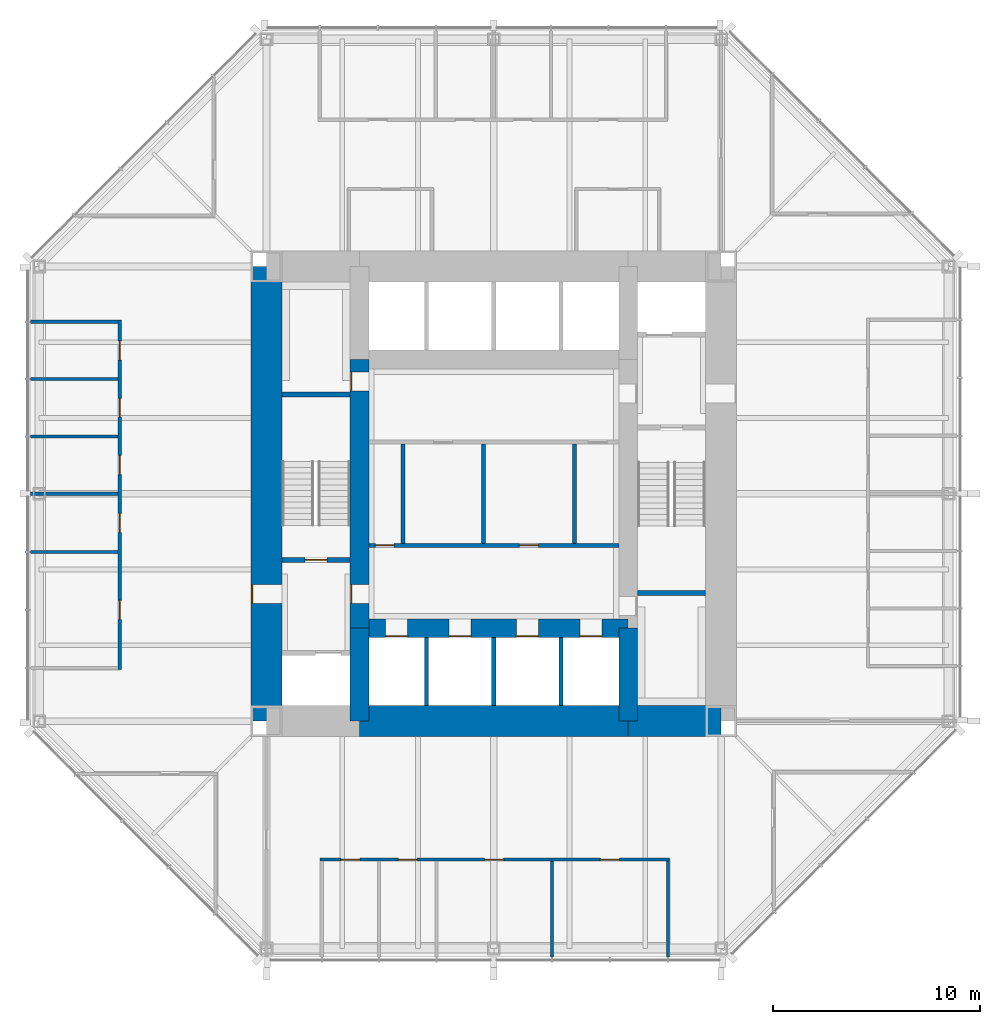
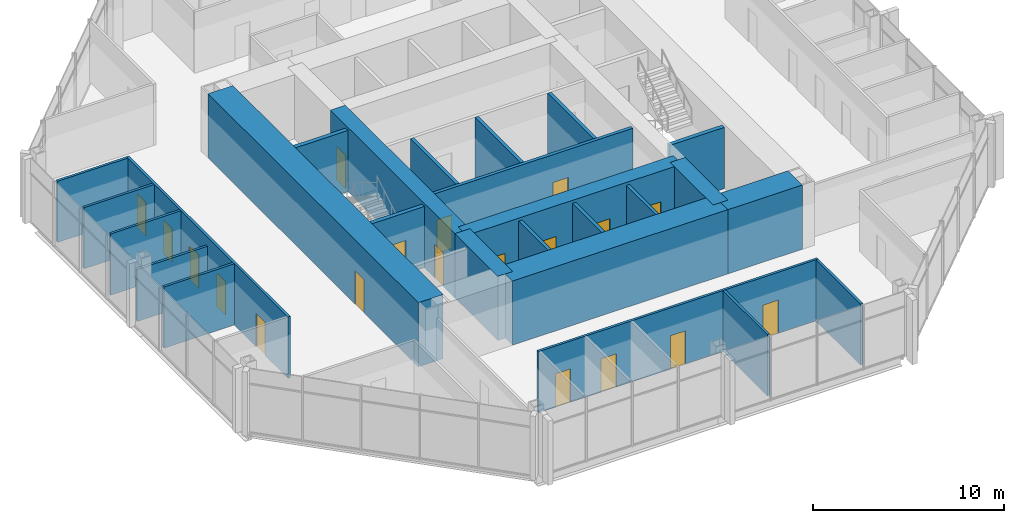
# One storey, part 9 of 12: 26 walls, 19 doors, 19 openings.
"""IFC4 building model written with IfcOpenShell, lengths in metres."""

from ifc_helpers import new_model, si_unit, direction, frame, frame_2d, origin, place, context, subcontext, project, spatial, rectangle, extrude, material, layer, layer_set, type_object, element, fill, save


model = new_model("IFC4")

# Units and contexts
model_context = context("Model", 3, precision=1e-05, world=origin(), true_north=direction((0.0, 1.0)))
body_context = subcontext(model_context, "Body", "Model", "MODEL_VIEW")
ifc_project = project(units=[si_unit("LENGTHUNIT", "METRE"), si_unit("AREAUNIT", "SQUARE_METRE"), si_unit("VOLUMEUNIT", "CUBIC_METRE"), si_unit("PLANEANGLEUNIT", "RADIAN"), si_unit("MASSUNIT", "GRAM", prefix="KILO")], contexts=[model_context])

# Site, building, storey
site_placement = place(None, origin())
site = spatial("IfcSite", under=ifc_project, at=site_placement, CompositionType="ELEMENT")
building_placement = place(site_placement, origin())
building = spatial("IfcBuilding", under=site, at=building_placement, Name="Trevanion Tower", CompositionType="ELEMENT")
storey_placement = place(building_placement, frame((0.0, 0.0, 170.5)))
storey = spatial("IfcBuildingStorey", under=building, at=storey_placement, Name="L40", CompositionType="ELEMENT", Elevation=170.5)

# Wall, opening, door
ifc_material_1 = material(Name="Concrete 10,000 psi", Category="concrete")
ifc_layer_1 = layer(ifc_material_1, 1.5)
ifc_layer_set_1 = layer_set([ifc_layer_1], Name="CW1 core wall 1500")
wall_type_1 = type_object("IfcWallType", Name="CW1 core wall 1500", PredefinedType="SHEAR", material=ifc_layer_set_1)
wall_1_placement = place(storey_placement, frame((-11.0, 11.0, 0.0), z_axis=(0.0, 0.0, 1.0), x_axis=(0.0, -1.0, 0.0)))
wall_1 = element("IfcWall", 1, at=wall_1_placement, inside=storey, type_object=wall_type_1, Name="CW1 CW L40", PredefinedType="SHEAR", context=body_context, shape_type="SweptSolid", body=[
    extrude(rectangle(XDim=22.0, YDim=1.5, at=frame_2d((11.0, 0.0))), origin(), (0.0, 0.0, 1.0), 4.10009765625),
])
opening_1_placement = place(wall_1_placement, frame((15.392578125, 0.0, 0.0)))
opening_1 = element("IfcOpeningElement", 2, at=opening_1_placement, cuts=wall_1, Name="Opening 40-002", PredefinedType="OPENING", context=body_context, shape_type="SweptSolid", body=[
    extrude(rectangle(XDim=0.9150390625, YDim=2.134033203125, at=frame_2d((0.45751953125, 1.06689453125))), frame((0.0, 0.760009765625, 0.0), z_axis=(0.0, -1.0, 0.0), x_axis=(1.0, 0.0, 0.0)), (0.0, 0.0, 1.0), 1.52001953125),
])
ifc_material_2 = material(Name="Hollow metal, fire rated", Category="steel")
door_type_1 = type_object("IfcDoorType", Name="D3 fire lift lobby door", OperationType="SINGLE_SWING_RIGHT", PredefinedType="DOOR", material=ifc_material_2)
door_1_placement = place(opening_1_placement, origin())
door_1 = element("IfcDoor", 3, at=door_1_placement, inside=storey, type_object=door_type_1, Name="Door 40-002", OperationType="SINGLE_SWING_RIGHT", OverallHeight=2.134033203125, OverallWidth=0.9150390625, PredefinedType="DOOR", context=body_context, shape_type="SweptSolid", body=[
    extrude(rectangle(XDim=0.9150390625, YDim=2.134033203125, at=frame_2d((0.45751953125, 1.06689453125))), frame((0.0, -0.6748046875, 0.0), z_axis=(0.0, -1.0, 0.0), x_axis=(1.0, 0.0, 0.0)), (0.0, 0.0, 1.0), 0.050048828125),
])
fill(opening_1, door_1)

# Walls
wall_2_placement = place(storey_placement, frame((-6.5, -11.0, 0.0), z_axis=(0.0, 0.0, 1.0), x_axis=(1.0, 0.0, 0.0)))
element("IfcWall", 4, at=wall_2_placement, inside=storey, type_object=wall_type_1, Name="CW1 CS2 L40", PredefinedType="SHEAR", context=body_context, shape_type="SweptSolid", body=[
    extrude(rectangle(XDim=13.0, YDim=1.5, at=frame_2d((6.5, 0.0))), origin(), (0.0, 0.0, 1.0), 4.10009765625),
])
wall_3_placement = place(storey_placement, frame((6.5, -11.0, 0.0), z_axis=(0.0, 0.0, 1.0), x_axis=(1.0, 0.0, 0.0)))
element("IfcWall", 5, at=wall_3_placement, inside=storey, type_object=wall_type_1, Name="CW1 CS3 L40", PredefinedType="SHEAR", context=body_context, shape_type="SweptSolid", body=[
    extrude(rectangle(XDim=4.5, YDim=1.5, at=frame_2d((2.25, 0.0))), origin(), (0.0, 0.0, 1.0), 4.10009765625),
])
ifc_material_3 = material(Name="Concrete 10,000 psi", Category="concrete")
ifc_layer_2 = layer(ifc_material_3, 0.89990234375)
ifc_layer_set_2 = layer_set([ifc_layer_2], Name="CW2 core wall 900")
wall_type_2 = type_object("IfcWallType", Name="CW2 core wall 900", PredefinedType="SHEAR", material=ifc_layer_set_2)
wall_4_placement = place(storey_placement, frame((6.5, -11.0, 0.0), z_axis=(0.0, 0.0, 1.0), x_axis=(0.0, 1.0, 0.0)))
element("IfcWall", 6, at=wall_4_placement, inside=storey, type_object=wall_type_2, Name="CW2 RE1 L40", PredefinedType="SHEAR", context=body_context, shape_type="SweptSolid", body=[
    extrude(rectangle(XDim=4.5, YDim=0.89990234375, at=frame_2d((2.25, 0.0))), origin(), (0.0, 0.0, 1.0), 4.10009765625),
])

# Wall, openings, doors
wall_5_placement = place(storey_placement, frame((-6.5, 6.5, 0.0), z_axis=(0.0, 0.0, 1.0), x_axis=(0.0, -1.0, 0.0)))
wall_5 = element("IfcWall", 7, at=wall_5_placement, inside=storey, type_object=wall_type_2, Name="CW2 RW2 L40", PredefinedType="SHEAR", context=body_context, shape_type="SweptSolid", body=[
    extrude(rectangle(XDim=13.0, YDim=0.89990234375, at=frame_2d((6.5, 0.0))), origin(), (0.0, 0.0, 1.0), 4.10009765625),
])
opening_2_placement = place(wall_5_placement, frame((10.892578125, 0.0, 0.0)))
opening_2 = element("IfcOpeningElement", 8, at=opening_2_placement, cuts=wall_5, Name="Opening 40-004", PredefinedType="OPENING", context=body_context, shape_type="SweptSolid", body=[
    extrude(rectangle(XDim=0.9150390625, YDim=2.134033203125, at=frame_2d((0.45751953125, 1.06689453125))), frame((0.0, 0.4599609375, 0.0), z_axis=(0.0, -1.0, 0.0), x_axis=(1.0, 0.0, 0.0)), (0.0, 0.0, 1.0), 0.919921875),
])
opening_3_placement = place(wall_5_placement, frame((0.610107421875, 0.0, 0.0)))
opening_3 = element("IfcOpeningElement", 9, at=opening_3_placement, cuts=wall_5, Name="Opening 40-010", PredefinedType="OPENING", context=body_context, shape_type="SweptSolid", body=[
    extrude(rectangle(XDim=0.9150390625, YDim=2.134033203125, at=frame_2d((0.45751953125, 1.06689453125))), frame((0.0, 0.4599609375, 0.0), z_axis=(0.0, -1.0, 0.0), x_axis=(1.0, 0.0, 0.0)), (0.0, 0.0, 1.0), 0.919921875),
])
door_2_placement = place(opening_2_placement, origin())
door_2 = element("IfcDoor", 10, at=door_2_placement, inside=storey, type_object=door_type_1, Name="Door 40-004", OperationType="SINGLE_SWING_RIGHT", OverallHeight=2.134033203125, OverallWidth=0.9150390625, PredefinedType="DOOR", context=body_context, shape_type="SweptSolid", body=[
    extrude(rectangle(XDim=0.9150390625, YDim=2.134033203125, at=frame_2d((0.45751953125, 1.06689453125))), frame((0.0, -0.375, 0.0), z_axis=(0.0, -1.0, 0.0), x_axis=(1.0, 0.0, 0.0)), (0.0, 0.0, 1.0), 0.050048828125),
])
fill(opening_2, door_2)
ifc_material_4 = material(Name="Hollow metal, fire rated", Category="steel")
door_type_2 = type_object("IfcDoorType", Name="D5 service room door", OperationType="SINGLE_SWING_RIGHT", PredefinedType="DOOR", material=ifc_material_4)
door_3_placement = place(opening_3_placement, origin())
door_3 = element("IfcDoor", 11, at=door_3_placement, inside=storey, type_object=door_type_2, Name="Door 40-010", OperationType="SINGLE_SWING_RIGHT", OverallHeight=2.134033203125, OverallWidth=0.9150390625, PredefinedType="DOOR", context=body_context, shape_type="SweptSolid", body=[
    extrude(rectangle(XDim=0.9150390625, YDim=2.134033203125, at=frame_2d((0.45751953125, 1.06689453125))), frame((0.0, -0.375, 0.0), z_axis=(0.0, -1.0, 0.0), x_axis=(1.0, 0.0, 0.0)), (0.0, 0.0, 1.0), 0.050048828125),
])
fill(opening_3, door_3)

# Wall
wall_6_placement = place(storey_placement, frame((-6.5, -6.5, 0.0), z_axis=(0.0, 0.0, 1.0), x_axis=(0.0, -1.0, 0.0)))
element("IfcWall", 12, at=wall_6_placement, inside=storey, type_object=wall_type_2, Name="CW2 RW3 L40", PredefinedType="SHEAR", context=body_context, shape_type="SweptSolid", body=[
    extrude(rectangle(XDim=4.5, YDim=0.89990234375, at=frame_2d((2.25, 0.0))), origin(), (0.0, 0.0, 1.0), 4.10009765625),
])

# Wall, openings, doors
wall_7_placement = place(storey_placement, frame((-6.5, -6.5, 0.0), z_axis=(0.0, 0.0, 1.0), x_axis=(1.0, 0.0, 0.0)))
wall_7 = element("IfcWall", 13, at=wall_7_placement, inside=storey, type_object=wall_type_2, Name="CW2 RS L40", PredefinedType="SHEAR", context=body_context, shape_type="SweptSolid", body=[
    extrude(rectangle(XDim=13.0, YDim=0.89990234375, at=frame_2d((6.5, 0.0))), origin(), (0.0, 0.0, 1.0), 4.10009765625),
])
opening_4_placement = place(wall_7_placement, frame((1.2666015625, 0.0, 0.0)))
opening_4 = element("IfcOpeningElement", 14, at=opening_4_placement, cuts=wall_7, Name="Opening 40-011", PredefinedType="OPENING", context=body_context, shape_type="SweptSolid", body=[
    extrude(rectangle(XDim=1.06689453125, YDim=2.134033203125, at=frame_2d((0.533447265625, 1.06689453125))), frame((0.0, 0.4599609375, 0.0), z_axis=(0.0, -1.0, 0.0), x_axis=(1.0, 0.0, 0.0)), (0.0, 0.0, 1.0), 0.919921875),
])
opening_5_placement = place(wall_7_placement, frame((4.341552734375, 0.0, 0.0)))
opening_5 = element("IfcOpeningElement", 15, at=opening_5_placement, cuts=wall_7, Name="Opening 40-012", PredefinedType="OPENING", context=body_context, shape_type="SweptSolid", body=[
    extrude(rectangle(XDim=1.06689453125, YDim=2.134033203125, at=frame_2d((0.533447265625, 1.06689453125))), frame((0.0, 0.4599609375, 0.0), z_axis=(0.0, -1.0, 0.0), x_axis=(1.0, 0.0, 0.0)), (0.0, 0.0, 1.0), 0.919921875),
])
opening_6_placement = place(wall_7_placement, frame((7.591552734375, 0.0, 0.0)))
opening_6 = element("IfcOpeningElement", 16, at=opening_6_placement, cuts=wall_7, Name="Opening 40-013", PredefinedType="OPENING", context=body_context, shape_type="SweptSolid", body=[
    extrude(rectangle(XDim=1.06689453125, YDim=2.134033203125, at=frame_2d((0.533447265625, 1.06689453125))), frame((0.0, 0.4599609375, 0.0), z_axis=(0.0, -1.0, 0.0), x_axis=(1.0, 0.0, 0.0)), (0.0, 0.0, 1.0), 0.919921875),
])
opening_7_placement = place(wall_7_placement, frame((10.66650390625, 0.0, 0.0)))
opening_7 = element("IfcOpeningElement", 17, at=opening_7_placement, cuts=wall_7, Name="Opening 40-014", PredefinedType="OPENING", context=body_context, shape_type="SweptSolid", body=[
    extrude(rectangle(XDim=1.06689453125, YDim=2.134033203125, at=frame_2d((0.533447265625, 1.06689453125))), frame((0.0, 0.4599609375, 0.0), z_axis=(0.0, -1.0, 0.0), x_axis=(1.0, 0.0, 0.0)), (0.0, 0.0, 1.0), 0.919921875),
])
ifc_material_5 = material(Name="Stainless steel, fire rated", Category="steel")
door_type_3 = type_object("IfcDoorType", Name="LD1 lift landing door", OperationType="SLIDING_TO_LEFT", PredefinedType="DOOR", material=ifc_material_5)
door_4_placement = place(opening_4_placement, origin())
door_4 = element("IfcDoor", 18, at=door_4_placement, inside=storey, type_object=door_type_3, Name="Door 40-011", OperationType="SLIDING_TO_LEFT", OverallHeight=2.134033203125, OverallWidth=1.06689453125, PredefinedType="DOOR", context=body_context, shape_type="SweptSolid", body=[
    extrude(rectangle(XDim=1.06689453125, YDim=2.134033203125, at=frame_2d((0.533447265625, 1.06689453125))), frame((0.0, -0.375, 0.0), z_axis=(0.0, -1.0, 0.0), x_axis=(1.0, 0.0, 0.0)), (0.0, 0.0, 1.0), 0.050048828125),
])
fill(opening_4, door_4)
door_5_placement = place(opening_5_placement, origin())
door_5 = element("IfcDoor", 19, at=door_5_placement, inside=storey, type_object=door_type_3, Name="Door 40-012", OperationType="SLIDING_TO_LEFT", OverallHeight=2.134033203125, OverallWidth=1.06689453125, PredefinedType="DOOR", context=body_context, shape_type="SweptSolid", body=[
    extrude(rectangle(XDim=1.06689453125, YDim=2.134033203125, at=frame_2d((0.533447265625, 1.06689453125))), frame((0.0, -0.375, 0.0), z_axis=(0.0, -1.0, 0.0), x_axis=(1.0, 0.0, 0.0)), (0.0, 0.0, 1.0), 0.050048828125),
])
fill(opening_5, door_5)
door_6_placement = place(opening_6_placement, origin())
door_6 = element("IfcDoor", 20, at=door_6_placement, inside=storey, type_object=door_type_3, Name="Door 40-013", OperationType="SLIDING_TO_LEFT", OverallHeight=2.134033203125, OverallWidth=1.06689453125, PredefinedType="DOOR", context=body_context, shape_type="SweptSolid", body=[
    extrude(rectangle(XDim=1.06689453125, YDim=2.134033203125, at=frame_2d((0.533447265625, 1.06689453125))), frame((0.0, -0.375, 0.0), z_axis=(0.0, -1.0, 0.0), x_axis=(1.0, 0.0, 0.0)), (0.0, 0.0, 1.0), 0.050048828125),
])
fill(opening_6, door_6)
door_7_placement = place(opening_7_placement, origin())
door_7 = element("IfcDoor", 21, at=door_7_placement, inside=storey, type_object=door_type_3, Name="Door 40-014", OperationType="SLIDING_TO_LEFT", OverallHeight=2.134033203125, OverallWidth=1.06689453125, PredefinedType="DOOR", context=body_context, shape_type="SweptSolid", body=[
    extrude(rectangle(XDim=1.06689453125, YDim=2.134033203125, at=frame_2d((0.533447265625, 1.06689453125))), frame((0.0, -0.375, 0.0), z_axis=(0.0, -1.0, 0.0), x_axis=(1.0, 0.0, 0.0)), (0.0, 0.0, 1.0), 0.050048828125),
])
fill(opening_7, door_7)

ifc_material_6 = material(Name="Gypsum board on steel studs", Category="steel")
ifc_layer_3 = layer(ifc_material_6, 0.14990234375)
ifc_layer_set_3 = layer_set([ifc_layer_3], Name="PT1 partition 150")
wall_type_3 = type_object("IfcWallType", Name="PT1 partition 150", PredefinedType="PARTITIONING", material=ifc_layer_set_3)
wall_8_placement = place(storey_placement, frame((-18.10009765625, 8.39794921875, 0.0), z_axis=(0.0, 0.0, 1.0), x_axis=(0.0, -1.0, 0.0)))
wall_8 = element("IfcWall", 22, at=wall_8_placement, inside=storey, type_object=wall_type_3, Name="PT1 L40 FC2F", PredefinedType="PARTITIONING", context=body_context, shape_type="SweptSolid", body=[
    extrude(rectangle(XDim=16.89404296875, YDim=0.14990234375, at=frame_2d((8.447021484375, 0.0))), origin(), (0.0, 0.0, 1.0), 3.909912109375),
])
opening_8_placement = place(wall_8_placement, frame((1.00439453125, 0.0, 0.0)))
opening_8 = element("IfcOpeningElement", 23, at=opening_8_placement, cuts=wall_8, Name="Opening 40-035", PredefinedType="OPENING", context=body_context, shape_type="SweptSolid", body=[
    extrude(rectangle(XDim=0.9150390625, YDim=2.134033203125, at=frame_2d((0.45751953125, 1.06689453125))), frame((0.0, 0.0849609375, 0.0), z_axis=(0.0, -1.0, 0.0), x_axis=(1.0, 0.0, 0.0)), (0.0, 0.0, 1.0), 0.169921875),
])
opening_9_placement = place(wall_8_placement, frame((3.778564453125, 0.0, 0.0)))
opening_9 = element("IfcOpeningElement", 24, at=opening_9_placement, cuts=wall_8, Name="Opening 40-036", PredefinedType="OPENING", context=body_context, shape_type="SweptSolid", body=[
    extrude(rectangle(XDim=0.9150390625, YDim=2.134033203125, at=frame_2d((0.45751953125, 1.06689453125))), frame((0.0, 0.0849609375, 0.0), z_axis=(0.0, -1.0, 0.0), x_axis=(1.0, 0.0, 0.0)), (0.0, 0.0, 1.0), 0.169921875),
])
opening_10_placement = place(wall_8_placement, frame((6.552978515625, 0.0, 0.0)))
opening_10 = element("IfcOpeningElement", 25, at=opening_10_placement, cuts=wall_8, Name="Opening 40-037", PredefinedType="OPENING", context=body_context, shape_type="SweptSolid", body=[
    extrude(rectangle(XDim=0.9150390625, YDim=2.134033203125, at=frame_2d((0.45751953125, 1.06689453125))), frame((0.0, 0.0849609375, 0.0), z_axis=(0.0, -1.0, 0.0), x_axis=(1.0, 0.0, 0.0)), (0.0, 0.0, 1.0), 0.169921875),
])
opening_11_placement = place(wall_8_placement, frame((9.343994140625, 0.0, 0.0)))
opening_11 = element("IfcOpeningElement", 26, at=opening_11_placement, cuts=wall_8, Name="Opening 40-038", PredefinedType="OPENING", context=body_context, shape_type="SweptSolid", body=[
    extrude(rectangle(XDim=0.9150390625, YDim=2.134033203125, at=frame_2d((0.45751953125, 1.06689453125))), frame((0.0, 0.0849609375, 0.0), z_axis=(0.0, -1.0, 0.0), x_axis=(1.0, 0.0, 0.0)), (0.0, 0.0, 1.0), 0.169921875),
])
opening_12_placement = place(wall_8_placement, frame((13.554443359375, 0.0, 0.0)))
opening_12 = element("IfcOpeningElement", 27, at=opening_12_placement, cuts=wall_8, Name="Opening 40-039", PredefinedType="OPENING", context=body_context, shape_type="SweptSolid", body=[
    extrude(rectangle(XDim=0.9150390625, YDim=2.134033203125, at=frame_2d((0.45751953125, 1.06689453125))), frame((0.0, 0.0849609375, 0.0), z_axis=(0.0, -1.0, 0.0), x_axis=(1.0, 0.0, 0.0)), (0.0, 0.0, 1.0), 0.169921875),
])
ifc_material_7 = material(Name="Timber veneer, solid core", Category="wood")
door_type_4 = type_object("IfcDoorType", Name="D1 office and meeting room door", OperationType="SINGLE_SWING_LEFT", PredefinedType="DOOR", material=ifc_material_7)
door_8_placement = place(opening_8_placement, origin())
door_8 = element("IfcDoor", 28, at=door_8_placement, inside=storey, type_object=door_type_4, Name="Door 40-035", OperationType="SINGLE_SWING_LEFT", OverallHeight=2.134033203125, OverallWidth=0.9150390625, PredefinedType="DOOR", context=body_context, shape_type="SweptSolid", body=[
    extrude(rectangle(XDim=0.9150390625, YDim=2.134033203125, at=frame_2d((0.45751953125, 1.06689453125))), frame((0.0, 0.02490234375, 0.0), z_axis=(0.0, -1.0, 0.0), x_axis=(1.0, 0.0, 0.0)), (0.0, 0.0, 1.0), 0.050048828125),
])
fill(opening_8, door_8)
door_9_placement = place(opening_9_placement, origin())
door_9 = element("IfcDoor", 29, at=door_9_placement, inside=storey, type_object=door_type_4, Name="Door 40-036", OperationType="SINGLE_SWING_LEFT", OverallHeight=2.134033203125, OverallWidth=0.9150390625, PredefinedType="DOOR", context=body_context, shape_type="SweptSolid", body=[
    extrude(rectangle(XDim=0.9150390625, YDim=2.134033203125, at=frame_2d((0.45751953125, 1.06689453125))), frame((0.0, 0.02490234375, 0.0), z_axis=(0.0, -1.0, 0.0), x_axis=(1.0, 0.0, 0.0)), (0.0, 0.0, 1.0), 0.050048828125),
])
fill(opening_9, door_9)
door_10_placement = place(opening_10_placement, origin())
door_10 = element("IfcDoor", 30, at=door_10_placement, inside=storey, type_object=door_type_4, Name="Door 40-037", OperationType="SINGLE_SWING_LEFT", OverallHeight=2.134033203125, OverallWidth=0.9150390625, PredefinedType="DOOR", context=body_context, shape_type="SweptSolid", body=[
    extrude(rectangle(XDim=0.9150390625, YDim=2.134033203125, at=frame_2d((0.45751953125, 1.06689453125))), frame((0.0, 0.02490234375, 0.0), z_axis=(0.0, -1.0, 0.0), x_axis=(1.0, 0.0, 0.0)), (0.0, 0.0, 1.0), 0.050048828125),
])
fill(opening_10, door_10)
door_11_placement = place(opening_11_placement, origin())
door_11 = element("IfcDoor", 31, at=door_11_placement, inside=storey, type_object=door_type_4, Name="Door 40-038", OperationType="SINGLE_SWING_LEFT", OverallHeight=2.134033203125, OverallWidth=0.9150390625, PredefinedType="DOOR", context=body_context, shape_type="SweptSolid", body=[
    extrude(rectangle(XDim=0.9150390625, YDim=2.134033203125, at=frame_2d((0.45751953125, 1.06689453125))), frame((0.0, 0.02490234375, 0.0), z_axis=(0.0, -1.0, 0.0), x_axis=(1.0, 0.0, 0.0)), (0.0, 0.0, 1.0), 0.050048828125),
])
fill(opening_11, door_11)
door_12_placement = place(opening_12_placement, origin())
door_12 = element("IfcDoor", 32, at=door_12_placement, inside=storey, type_object=door_type_4, Name="Door 40-039", OperationType="SINGLE_SWING_LEFT", OverallHeight=2.134033203125, OverallWidth=0.9150390625, PredefinedType="DOOR", context=body_context, shape_type="SweptSolid", body=[
    extrude(rectangle(XDim=0.9150390625, YDim=2.134033203125, at=frame_2d((0.45751953125, 1.06689453125))), frame((0.0, 0.02490234375, 0.0), z_axis=(0.0, -1.0, 0.0), x_axis=(1.0, 0.0, 0.0)), (0.0, 0.0, 1.0), 0.050048828125),
])
fill(opening_12, door_12)

# Walls
for number, where, z_axis, x_axis, name in (
    (33, (-18.175048828125, 8.322998046875, 0.0), (0.0, 0.0, 1.0), (-1.0, 0.0, 0.0), "PT1 L40 FC2S0"),
    (34, (-18.175048828125, 5.549072265625, 0.0), (0.0, 0.0, 1.0), (-1.0, 0.0, 0.0), "PT1 L40 FC2S1"),
    (35, (-18.175048828125, 2.77490234375, 0.0), (0.0, 0.0, 1.0), (-1.0, 0.0, 0.0), "PT1 L40 FC2S2"),
):
    element("IfcWall", number, at=place(storey_placement, frame(where, z_axis=z_axis, x_axis=x_axis)), inside=storey, type_object=wall_type_3, Name=name, PredefinedType="PARTITIONING", context=body_context, shape_type="SweptSolid", body=[
        extrude(rectangle(XDim=4.239990234375, YDim=0.14990234375, at=frame_2d((2.1201171875, 0.0))), origin(), (0.0, 0.0, 1.0), 3.909912109375),
    ])
wall_9_placement = place(storey_placement, frame((-18.175048828125, 0.0, 0.0), z_axis=(0.0, 0.0, 1.0), x_axis=(-1.0, 0.0, 0.0)))
element("IfcWall", 36, at=wall_9_placement, inside=storey, type_object=wall_type_3, Name="PT1 L40 FC2S3", PredefinedType="PARTITIONING", context=body_context, shape_type="SweptSolid", body=[
    extrude(rectangle(XDim=4.239990234375, YDim=0.14990234375, at=frame_2d((2.1201171875, 0.0))), origin(), (0.0, 0.0, 1.0), 3.32568359375),
])
wall_10_placement = place(storey_placement, frame((-18.175048828125, -2.806884765625, 0.0), z_axis=(0.0, 0.0, 1.0), x_axis=(-1.0, 0.0, 0.0)))
element("IfcWall", 37, at=wall_10_placement, inside=storey, type_object=wall_type_3, Name="PT1 L40 FC2S4", PredefinedType="PARTITIONING", context=body_context, shape_type="SweptSolid", body=[
    extrude(rectangle(XDim=4.239990234375, YDim=0.14990234375, at=frame_2d((2.1201171875, 0.0))), origin(), (0.0, 0.0, 1.0), 3.909912109375),
])

# Wall, openings, doors
wall_11_placement = place(storey_placement, frame((-8.39794921875, -17.699951171875, 0.0), z_axis=(0.0, 0.0, 1.0), x_axis=(1.0, 0.0, 0.0)))
wall_11 = element("IfcWall", 38, at=wall_11_placement, inside=storey, type_object=wall_type_3, Name="PT1 L40 FC3F", PredefinedType="PARTITIONING", context=body_context, shape_type="SweptSolid", body=[
    extrude(rectangle(XDim=16.89404296875, YDim=0.14990234375, at=frame_2d((8.447021484375, 0.0))), origin(), (0.0, 0.0, 1.0), 3.909912109375),
])
opening_13_placement = place(wall_11_placement, frame((1.00439453125, 0.0, 0.0)))
opening_13 = element("IfcOpeningElement", 39, at=opening_13_placement, cuts=wall_11, Name="Opening 40-040", PredefinedType="OPENING", context=body_context, shape_type="SweptSolid", body=[
    extrude(rectangle(XDim=0.9150390625, YDim=2.134033203125, at=frame_2d((0.45751953125, 1.06689453125))), frame((0.0, 0.0849609375, 0.0), z_axis=(0.0, -1.0, 0.0), x_axis=(1.0, 0.0, 0.0)), (0.0, 0.0, 1.0), 0.169921875),
])
opening_14_placement = place(wall_11_placement, frame((3.778564453125, 0.0, 0.0)))
opening_14 = element("IfcOpeningElement", 40, at=opening_14_placement, cuts=wall_11, Name="Opening 40-041", PredefinedType="OPENING", context=body_context, shape_type="SweptSolid", body=[
    extrude(rectangle(XDim=0.9150390625, YDim=2.134033203125, at=frame_2d((0.45751953125, 1.06689453125))), frame((0.0, 0.0849609375, 0.0), z_axis=(0.0, -1.0, 0.0), x_axis=(1.0, 0.0, 0.0)), (0.0, 0.0, 1.0), 0.169921875),
])
opening_15_placement = place(wall_11_placement, frame((7.95654296875, 0.0, 0.0)))
opening_15 = element("IfcOpeningElement", 41, at=opening_15_placement, cuts=wall_11, Name="Opening 40-042", PredefinedType="OPENING", context=body_context, shape_type="SweptSolid", body=[
    extrude(rectangle(XDim=0.9150390625, YDim=2.134033203125, at=frame_2d((0.45751953125, 1.06689453125))), frame((0.0, 0.0849609375, 0.0), z_axis=(0.0, -1.0, 0.0), x_axis=(1.0, 0.0, 0.0)), (0.0, 0.0, 1.0), 0.169921875),
])
opening_16_placement = place(wall_11_placement, frame((13.554443359375, 0.0, 0.0)))
opening_16 = element("IfcOpeningElement", 42, at=opening_16_placement, cuts=wall_11, Name="Opening 40-043", PredefinedType="OPENING", context=body_context, shape_type="SweptSolid", body=[
    extrude(rectangle(XDim=0.9150390625, YDim=2.134033203125, at=frame_2d((0.45751953125, 1.06689453125))), frame((0.0, 0.0849609375, 0.0), z_axis=(0.0, -1.0, 0.0), x_axis=(1.0, 0.0, 0.0)), (0.0, 0.0, 1.0), 0.169921875),
])
door_13_placement = place(opening_13_placement, origin())
door_13 = element("IfcDoor", 43, at=door_13_placement, inside=storey, type_object=door_type_4, Name="Door 40-040", OperationType="SINGLE_SWING_LEFT", OverallHeight=2.134033203125, OverallWidth=0.9150390625, PredefinedType="DOOR", context=body_context, shape_type="SweptSolid", body=[
    extrude(rectangle(XDim=0.9150390625, YDim=2.134033203125, at=frame_2d((0.45751953125, 1.06689453125))), frame((0.0, 0.02490234375, 0.0), z_axis=(0.0, -1.0, 0.0), x_axis=(1.0, 0.0, 0.0)), (0.0, 0.0, 1.0), 0.050048828125),
])
fill(opening_13, door_13)
door_14_placement = place(opening_14_placement, origin())
door_14 = element("IfcDoor", 44, at=door_14_placement, inside=storey, type_object=door_type_4, Name="Door 40-041", OperationType="SINGLE_SWING_LEFT", OverallHeight=2.134033203125, OverallWidth=0.9150390625, PredefinedType="DOOR", context=body_context, shape_type="SweptSolid", body=[
    extrude(rectangle(XDim=0.9150390625, YDim=2.134033203125, at=frame_2d((0.45751953125, 1.06689453125))), frame((0.0, 0.02490234375, 0.0), z_axis=(0.0, -1.0, 0.0), x_axis=(1.0, 0.0, 0.0)), (0.0, 0.0, 1.0), 0.050048828125),
])
fill(opening_14, door_14)
door_15_placement = place(opening_15_placement, origin())
door_15 = element("IfcDoor", 45, at=door_15_placement, inside=storey, type_object=door_type_4, Name="Door 40-042", OperationType="SINGLE_SWING_LEFT", OverallHeight=2.134033203125, OverallWidth=0.9150390625, PredefinedType="DOOR", context=body_context, shape_type="SweptSolid", body=[
    extrude(rectangle(XDim=0.9150390625, YDim=2.134033203125, at=frame_2d((0.45751953125, 1.06689453125))), frame((0.0, 0.02490234375, 0.0), z_axis=(0.0, -1.0, 0.0), x_axis=(1.0, 0.0, 0.0)), (0.0, 0.0, 1.0), 0.050048828125),
])
fill(opening_15, door_15)
door_16_placement = place(opening_16_placement, origin())
door_16 = element("IfcDoor", 46, at=door_16_placement, inside=storey, type_object=door_type_4, Name="Door 40-043", OperationType="SINGLE_SWING_LEFT", OverallHeight=2.134033203125, OverallWidth=0.9150390625, PredefinedType="DOOR", context=body_context, shape_type="SweptSolid", body=[
    extrude(rectangle(XDim=0.9150390625, YDim=2.134033203125, at=frame_2d((0.45751953125, 1.06689453125))), frame((0.0, 0.02490234375, 0.0), z_axis=(0.0, -1.0, 0.0), x_axis=(1.0, 0.0, 0.0)), (0.0, 0.0, 1.0), 0.050048828125),
])
fill(opening_16, door_16)

# Walls
for number, where, z_axis, x_axis, name in (
    (47, (2.806884765625, -17.77490234375, 0.0), (0.0, 0.0, 1.0), (0.0, -1.0, 0.0), "PT1 L40 FC3S4"),
    (48, (8.4208984375, -17.77490234375, 0.0), (0.0, 0.0, 1.0), (0.0, -1.0, 0.0), "PT1 L40 FC3S6"),
):
    element("IfcWall", number, at=place(storey_placement, frame(where, z_axis=z_axis, x_axis=x_axis)), inside=storey, type_object=wall_type_3, Name=name, PredefinedType="PARTITIONING", context=body_context, shape_type="SweptSolid", body=[
        extrude(rectangle(XDim=4.64013671875, YDim=0.14990234375, at=frame_2d((2.320068359375, 0.0))), origin(), (0.0, 0.0, 1.0), 3.909912109375),
    ])
ifc_material_8 = material(Name="Concrete masonry, grouted", Category="masonry")
ifc_layer_4 = layer(ifc_material_8, 0.199951171875)
ifc_layer_set_4 = layer_set([ifc_layer_4], Name="PT2 partition 200")
wall_type_4 = type_object("IfcWallType", Name="PT2 partition 200", PredefinedType="PARTITIONING", material=ifc_layer_set_4)
for number, where, z_axis, x_axis, name in (
    (49, (-4.39990234375, -2.39990234375, 0.0), (0.0, 0.0, 1.0), (0.0, 1.0, 0.0), "PT2 L40 TP1"),
    (50, (-0.5, -2.39990234375, 0.0), (0.0, 0.0, 1.0), (0.0, 1.0, 0.0), "PT2 L40 TP2"),
    (51, (3.89990234375, -2.39990234375, 0.0), (0.0, 0.0, 1.0), (0.0, 1.0, 0.0), "PT2 L40 TP3"),
):
    element("IfcWall", number, at=place(storey_placement, frame(where, z_axis=z_axis, x_axis=x_axis)), inside=storey, type_object=wall_type_4, Name=name, PredefinedType="PARTITIONING", context=body_context, shape_type="SweptSolid", body=[
        extrude(rectangle(XDim=4.7998046875, YDim=0.199951171875, at=frame_2d((2.39990234375, 0.0))), origin(), (0.0, 0.0, 1.0), 3.909912109375),
    ])

# Wall, openings, doors
ifc_material_9 = material(Name="Concrete masonry, grouted", Category="masonry")
ifc_layer_5 = layer(ifc_material_9, 0.199951171875)
ifc_layer_set_5 = layer_set([ifc_layer_5], Name="PT2 partition 200 1 HR")
wall_type_5 = type_object("IfcWallType", Name="PT2 partition 200 1 HR", PredefinedType="PARTITIONING", material=ifc_layer_set_5)
wall_12_placement = place(storey_placement, frame((6.050048828125, -2.5, 0.0), z_axis=(0.0, 0.0, 1.0), x_axis=(-1.0, 0.0, 0.0)))
wall_12 = element("IfcWall", 52, at=wall_12_placement, inside=storey, type_object=wall_type_5, Name="PT2 L40 CP2", PredefinedType="PARTITIONING", context=body_context, shape_type="SweptSolid", body=[
    extrude(rectangle(XDim=12.10009765625, YDim=0.199951171875, at=frame_2d((6.050048828125, 0.0))), origin(), (0.0, 0.0, 1.0), 3.909912109375),
])
opening_17_placement = place(wall_12_placement, frame((10.867431640625, 0.0, 0.0)))
opening_17 = element("IfcOpeningElement", 53, at=opening_17_placement, cuts=wall_12, Name="Opening 40-015", PredefinedType="OPENING", context=body_context, shape_type="SweptSolid", body=[
    extrude(rectangle(XDim=0.9150390625, YDim=2.134033203125, at=frame_2d((0.45751953125, 1.06689453125))), frame((0.0, 0.10986328125, 0.0), z_axis=(0.0, -1.0, 0.0), x_axis=(1.0, 0.0, 0.0)), (0.0, 0.0, 1.0), 0.219970703125),
])
opening_18_placement = place(wall_12_placement, frame((3.892578125, 0.0, 0.0)))
opening_18 = element("IfcOpeningElement", 54, at=opening_18_placement, cuts=wall_12, Name="Opening 40-017", PredefinedType="OPENING", context=body_context, shape_type="SweptSolid", body=[
    extrude(rectangle(XDim=0.9150390625, YDim=2.134033203125, at=frame_2d((0.45751953125, 1.06689453125))), frame((0.0, 0.10986328125, 0.0), z_axis=(0.0, -1.0, 0.0), x_axis=(1.0, 0.0, 0.0)), (0.0, 0.0, 1.0), 0.219970703125),
])
ifc_material_10 = material(Name="Plastic laminate on fire-rated core", Category="wood")
door_type_5 = type_object("IfcDoorType", Name="D12 toilet door in a one hour wall", OperationType="SINGLE_SWING_LEFT", PredefinedType="DOOR", material=ifc_material_10)
door_17_placement = place(opening_18_placement, origin())
door_17 = element("IfcDoor", 55, at=door_17_placement, inside=storey, type_object=door_type_5, Name="Door 40-017", OperationType="SINGLE_SWING_LEFT", OverallHeight=2.134033203125, OverallWidth=0.9150390625, PredefinedType="DOOR", context=body_context, shape_type="SweptSolid", body=[
    extrude(rectangle(XDim=0.9150390625, YDim=2.134033203125, at=frame_2d((0.45751953125, 1.06689453125))), frame((0.0, 0.02490234375, 0.0), z_axis=(0.0, -1.0, 0.0), x_axis=(1.0, 0.0, 0.0)), (0.0, 0.0, 1.0), 0.050048828125),
])
fill(opening_18, door_17)
door_18_placement = place(opening_17_placement, origin())
door_18 = element("IfcDoor", 56, at=door_18_placement, inside=storey, type_object=door_type_2, Name="Door 40-015", OperationType="SINGLE_SWING_RIGHT", OverallHeight=2.134033203125, OverallWidth=0.9150390625, PredefinedType="DOOR", context=body_context, shape_type="SweptSolid", body=[
    extrude(rectangle(XDim=0.9150390625, YDim=2.134033203125, at=frame_2d((0.45751953125, 1.06689453125))), frame((0.0, 0.02490234375, 0.0), z_axis=(0.0, -1.0, 0.0), x_axis=(1.0, 0.0, 0.0)), (0.0, 0.0, 1.0), 0.050048828125),
])
fill(opening_17, door_18)

# Walls
ifc_material_11 = material(Name="Concrete masonry, grouted", Category="masonry")
ifc_layer_6 = layer(ifc_material_11, 0.199951171875)
ifc_layer_set_6 = layer_set([ifc_layer_6], Name="PT2 partition 200 2 HR")
wall_type_6 = type_object("IfcWallType", Name="PT2 partition 200 2 HR", PredefinedType="PARTITIONING", material=ifc_layer_set_6)
for number, where, z_axis, x_axis, name in (
    (57, (-3.25, -10.25, 0.0), (0.0, 0.0, 1.0), (0.0, 1.0, 0.0), "PT2 L40 SS0"),
    (58, (0.0, -10.25, 0.0), (0.0, 0.0, 1.0), (0.0, 1.0, 0.0), "PT2 L40 SS1"),
    (59, (3.25, -10.25, 0.0), (0.0, 0.0, 1.0), (0.0, 1.0, 0.0), "PT2 L40 SS2"),
):
    element("IfcWall", number, at=place(storey_placement, frame(where, z_axis=z_axis, x_axis=x_axis)), inside=storey, type_object=wall_type_6, Name=name, PredefinedType="PARTITIONING", context=body_context, shape_type="SweptSolid", body=[
        extrude(rectangle(XDim=3.300048828125, YDim=0.199951171875, at=frame_2d((1.64990234375, 0.0))), origin(), (0.0, 0.0, 1.0), 3.909912109375),
    ])
ifc_material_12 = material(Name="Reinforced masonry, fully grouted", Category="masonry")
ifc_layer_7 = layer(ifc_material_12, 0.25)
ifc_layer_set_7 = layer_set([ifc_layer_7], Name="SW1 stair shaft wall 250")
wall_type_7 = type_object("IfcWallType", Name="SW1 stair shaft wall 250", PredefinedType="SOLIDWALL", material=ifc_layer_set_7)
for number, where, z_axis, x_axis, name in (
    (60, (6.949951171875, -4.800048828125, 0.0), (0.0, 0.0, 1.0), (1.0, 0.0, 0.0), "SW1 L40 EP1"),
    (61, (-6.949951171875, 4.800048828125, 0.0), (0.0, 0.0, 1.0), (-1.0, 0.0, 0.0), "SW1 L40 WP1"),
):
    element("IfcWall", number, at=place(storey_placement, frame(where, z_axis=z_axis, x_axis=x_axis)), inside=storey, type_object=wall_type_7, Name=name, PredefinedType="SOLIDWALL", context=body_context, shape_type="SweptSolid", body=[
        extrude(rectangle(XDim=3.300048828125, YDim=0.25, at=frame_2d((1.64990234375, 0.0))), origin(), (0.0, 0.0, 1.0), 3.909912109375),
    ])

# Wall, opening, door
wall_13_placement = place(storey_placement, frame((-6.949951171875, -3.199951171875, 0.0), z_axis=(0.0, 0.0, 1.0), x_axis=(-1.0, 0.0, 0.0)))
wall_13 = element("IfcWall", 62, at=wall_13_placement, inside=storey, type_object=wall_type_7, Name="SW1 L40 WP2", PredefinedType="SOLIDWALL", context=body_context, shape_type="SweptSolid", body=[
    extrude(rectangle(XDim=3.300048828125, YDim=0.25, at=frame_2d((1.64990234375, 0.0))), origin(), (0.0, 0.0, 1.0), 3.909912109375),
])
opening_19_placement = place(wall_13_placement, frame((1.116455078125, 0.0, 0.0)))
opening_19 = element("IfcOpeningElement", 63, at=opening_19_placement, cuts=wall_13, Name="Opening 40-006", PredefinedType="OPENING", context=body_context, shape_type="SweptSolid", body=[
    extrude(rectangle(XDim=1.06689453125, YDim=2.134033203125, at=frame_2d((0.533447265625, 1.06689453125))), frame((0.0, 0.135009765625, 0.0), z_axis=(0.0, -1.0, 0.0), x_axis=(1.0, 0.0, 0.0)), (0.0, 0.0, 1.0), 0.27001953125),
])
ifc_material_13 = material(Name="Hollow metal, fire rated", Category="steel")
door_type_6 = type_object("IfcDoorType", Name="D2 exit stair door", OperationType="SINGLE_SWING_LEFT", PredefinedType="DOOR", material=ifc_material_13)
door_19_placement = place(opening_19_placement, origin())
door_19 = element("IfcDoor", 64, at=door_19_placement, inside=storey, type_object=door_type_6, Name="Door 40-006", OperationType="SINGLE_SWING_LEFT", OverallHeight=2.134033203125, OverallWidth=1.06689453125, PredefinedType="DOOR", context=body_context, shape_type="SweptSolid", body=[
    extrude(rectangle(XDim=1.06689453125, YDim=2.134033203125, at=frame_2d((0.533447265625, 1.06689453125))), frame((0.0, 0.02490234375, 0.0), z_axis=(0.0, -1.0, 0.0), x_axis=(1.0, 0.0, 0.0)), (0.0, 0.0, 1.0), 0.050048828125),
])
fill(opening_19, door_19)

save(model, "model.ifc")
